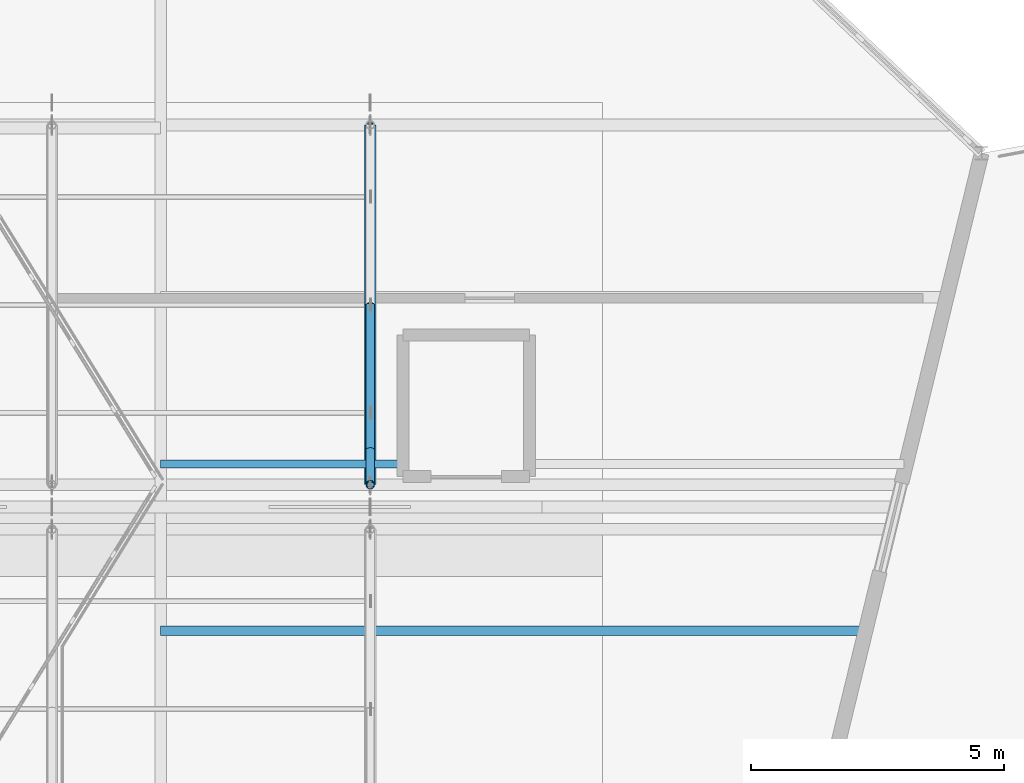
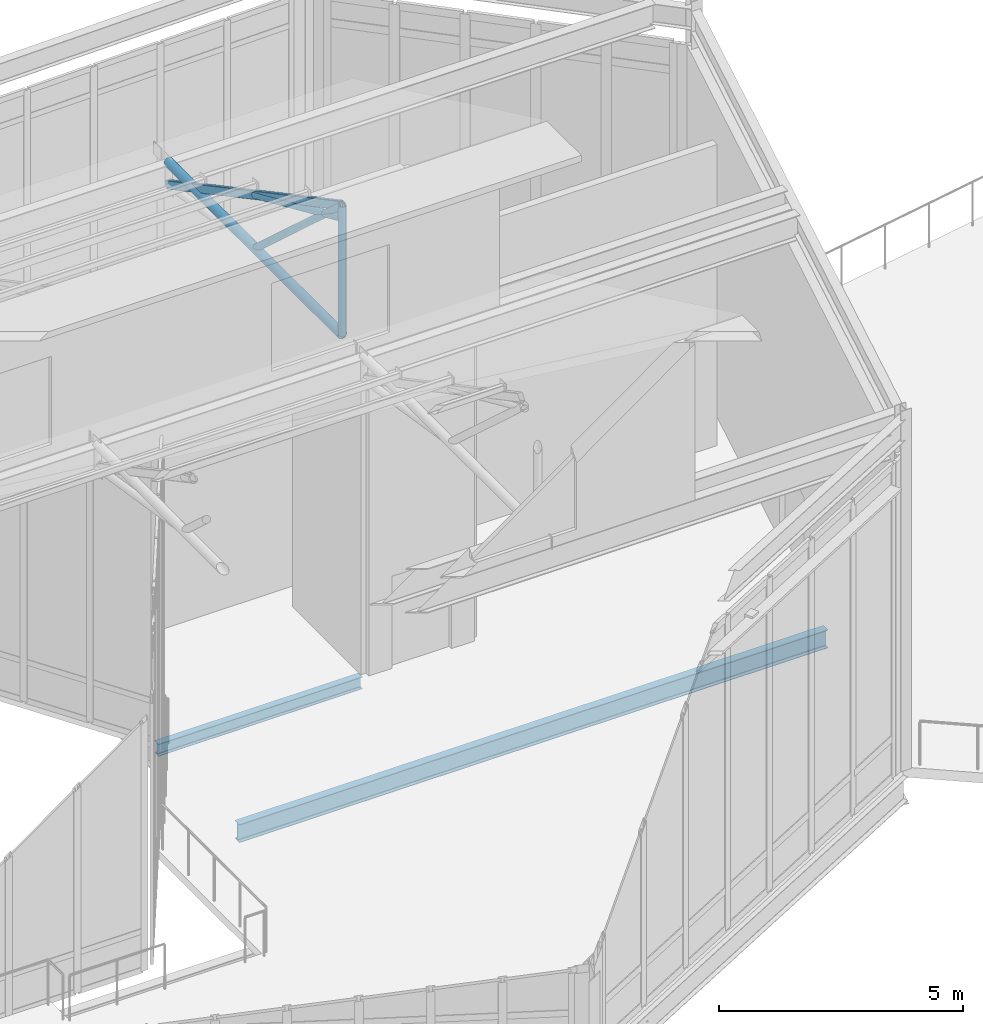
# One storey, part 28 of 66: 5 members, 2 beams.
"""IFC4 building model written with IfcOpenShell, lengths in metres."""

from ifc_helpers import new_model, si_unit, direction, frame, origin, origin_2d, place, context, subcontext, project, spatial, hollow_rectangle, hollow_circle, i_section, extrude, material, material_profile, profile_set, type_object, element, save


model = new_model("IFC4")

# Units and contexts
model_context = context("Model", 3, precision=1e-05, world=origin(), true_north=direction((0.0, 1.0)))
body_context = subcontext(model_context, "Body", "Model", "MODEL_VIEW")
ifc_project = project(units=[si_unit("LENGTHUNIT", "METRE"), si_unit("AREAUNIT", "SQUARE_METRE"), si_unit("VOLUMEUNIT", "CUBIC_METRE"), si_unit("PLANEANGLEUNIT", "RADIAN"), si_unit("MASSUNIT", "GRAM", prefix="KILO")], contexts=[model_context])

# Site, building, storey
site_placement = place(None, origin())
site = spatial("IfcSite", under=ifc_project, at=site_placement, CompositionType="ELEMENT")
building_placement = place(site_placement, origin())
building = spatial("IfcBuilding", under=site, at=building_placement, Name="Tameran Prism Museum", CompositionType="ELEMENT")
storey_placement = place(building_placement, frame((0.0, 0.0, 19.800048828125)))
storey = spatial("IfcBuildingStorey", under=building, at=storey_placement, Name="L04", CompositionType="ELEMENT", Elevation=19.800048828125)

# Beams
ifc_material_1 = material(Name="Steel Grade 300PLUS (300 MPa)", Category="steel")
ifc_material_profile_1 = material_profile(ifc_material_1, i_section(OverallWidth=0.1650390625, OverallDepth=0.303955078125, WebThickness=0.006103515625, FlangeThickness=0.01025390625, FilletRadius=0.011474609375, at=origin_2d()))
ifc_profile_set_1 = profile_set([ifc_material_profile_1])
beam_type_1 = type_object("IfcBeamType", Name="BM-J310B", PredefinedType="JOIST", material=ifc_profile_set_1)
beam_1_placement = place(storey_placement, frame((85.449951171875, 36.85009765625, -0.35205078125), z_axis=(1.0, 0.0, 0.0), x_axis=(0.0, 1.0, 0.0)))
element("IfcBeam", 1, at=beam_1_placement, inside=storey, type_object=beam_type_1, Name="Floor Beam BM-1237", PredefinedType="JOIST", context=body_context, shape_type="SweptSolid", body=[
    extrude(i_section(OverallWidth=0.1650390625, OverallDepth=0.303955078125, WebThickness=0.006103515625, FlangeThickness=0.01025390625, FilletRadius=0.011474609375, at=origin_2d()), origin(), (0.0, 0.0, 1.0), 4.820068359375),
])
ifc_material_2 = material(Name="Steel Grade 300PLUS (300 MPa)", Category="steel")
ifc_material_profile_2 = material_profile(ifc_material_2, i_section(OverallWidth=0.18994140625, OverallDepth=0.4541015625, WebThickness=0.008544921875, FlangeThickness=0.0126953125, FilletRadius=0.011474609375, at=origin_2d()))
ifc_profile_set_2 = profile_set([ifc_material_profile_2])
beam_type_2 = type_object("IfcBeamType", Name="BM-J460B", PredefinedType="JOIST", material=ifc_profile_set_2)
beam_2_placement = place(storey_placement, frame((85.449951171875, 33.550048828125, -0.427001953125), z_axis=(1.0, 0.0, 0.0), x_axis=(0.0, 1.0, 0.0)))
element("IfcBeam", 2, at=beam_2_placement, inside=storey, type_object=beam_type_2, Name="Floor Beam BM-1236", PredefinedType="JOIST", context=body_context, shape_type="SweptSolid", body=[
    extrude(i_section(OverallWidth=0.18994140625, OverallDepth=0.4541015625, WebThickness=0.008544921875, FlangeThickness=0.0126953125, FilletRadius=0.011474609375, at=origin_2d()), origin(), (0.0, 0.0, 1.0), 13.91015625),
])

# Members
ifc_material_3 = material(Name="Steel Grade C350L0 (350 MPa)", Category="steel")
ifc_material_profile_3 = material_profile(ifc_material_3, hollow_circle(Radius=0.084228515625, WallThickness=0.007080078125, at=origin_2d()))
ifc_profile_set_3 = profile_set([ifc_material_profile_3])
member_type_1 = type_object("IfcMemberType", Name="MM-BR-CHS168", PredefinedType="BRACE", material=ifc_profile_set_3)
member_1_placement = place(storey_placement, frame((89.60009765625, 36.43994140625, 8.785888671875), z_axis=(0.0, 0.0, 1.0), x_axis=(1.0, 0.0, 0.0)))
element("IfcMember", 3, at=member_1_placement, inside=storey, type_object=member_type_1, Name="Sawtooth Brace STM-0220", PredefinedType="BRACE", context=body_context, shape_type="SweptSolid", body=[
    extrude(hollow_circle(Radius=0.084228515625, WallThickness=0.007080078125, at=origin_2d()), origin(), (0.0, 0.0, 1.0), 3.238037109375),
])
member_2_placement = place(storey_placement, frame((89.60009765625, 40.0, 8.785888671875), z_axis=(0.0, -0.739772474497, 0.672857106656), x_axis=(1.0, 0.0, 0.0)))
element("IfcMember", 4, at=member_2_placement, inside=storey, type_object=member_type_1, Name="Sawtooth Brace STM-0222", PredefinedType="BRACE", context=body_context, shape_type="SweptSolid", body=[
    extrude(hollow_circle(Radius=0.084228515625, WallThickness=0.007080078125, at=origin_2d()), origin(), (0.0, 0.0, 1.0), 4.812255859375),
])
ifc_material_4 = material(Name="Steel Grade C350L0 (350 MPa)", Category="steel")
ifc_material_profile_4 = material_profile(ifc_material_4, hollow_circle(Radius=0.109619140625, WallThickness=0.00830078125, at=origin_2d()))
ifc_profile_set_4 = profile_set([ifc_material_profile_4])
member_type_2 = type_object("IfcMemberType", Name="MM-CH-CHS219", PredefinedType="CHORD", material=ifc_profile_set_4)
member_3_placement = place(storey_placement, frame((89.60009765625, 36.43994140625, 8.785888671875), z_axis=(0.0, 1.0, 0.0), x_axis=(-1.0, 0.0, 0.0)))
element("IfcMember", 5, at=member_3_placement, inside=storey, type_object=member_type_2, Name="Sawtooth Chord STM-0218", PredefinedType="CHORD", context=body_context, shape_type="SweptSolid", body=[
    extrude(hollow_circle(Radius=0.109619140625, WallThickness=0.00830078125, at=origin_2d()), origin(), (0.0, 0.0, 1.0), 7.1201171875),
])
ifc_material_5 = material(Name="Steel Grade C350L0 (350 MPa)", Category="steel")
ifc_material_profile_5 = material_profile(ifc_material_5, hollow_rectangle(XDim=0.10009765625, YDim=0.199951171875, WallThickness=0.008056640625, InnerFilletRadius=0.011962890625, OuterFilletRadius=0.02001953125, at=origin_2d()))
ifc_profile_set_5 = profile_set([ifc_material_profile_5])
member_type_3 = type_object("IfcMemberType", Name="MM-RF-RHS200", PredefinedType="RAFTER", material=ifc_profile_set_5)
member_4_placement = place(storey_placement, frame((89.60009765625, 36.43994140625, 12.02392578125), z_axis=(0.0, 0.882216411875, -0.47084413835), x_axis=(-1.0, 0.0, 0.0)))
element("IfcMember", 6, at=member_4_placement, inside=storey, type_object=member_type_3, Name="Sawtooth Rafter STM-0219", PredefinedType="RAFTER", context=body_context, shape_type="SweptSolid", body=[
    extrude(hollow_rectangle(XDim=0.10009765625, YDim=0.199951171875, WallThickness=0.008056640625, InnerFilletRadius=0.011962890625, OuterFilletRadius=0.02001953125, at=origin_2d()), origin(), (0.0, 0.0, 1.0), 8.07080078125),
])
ifc_material_6 = material(Name="Steel Grade C350L0 (350 MPa)", Category="steel")
ifc_material_profile_6 = material_profile(ifc_material_6, hollow_circle(Radius=0.084228515625, WallThickness=0.007080078125, at=origin_2d()))
ifc_profile_set_6 = profile_set([ifc_material_profile_6])
member_type_4 = type_object("IfcMemberType", Name="MM-ST-CHS168", PredefinedType="STRUT", material=ifc_profile_set_6)
member_5_placement = place(storey_placement, frame((89.60009765625, 36.43994140625, 11.703857421875), z_axis=(0.0, 0.914041454577, -0.405620782647), x_axis=(-1.0, 0.0, 0.0)))
element("IfcMember", 7, at=member_5_placement, inside=storey, type_object=member_type_4, Name="Sawtooth Strut STM-0224", PredefinedType="STRUT", context=body_context, shape_type="SweptSolid", body=[
    extrude(hollow_circle(Radius=0.084228515625, WallThickness=0.007080078125, at=origin_2d()), origin(), (0.0, 0.0, 1.0), 3.894775390625),
])

save(model, "model.ifc")
